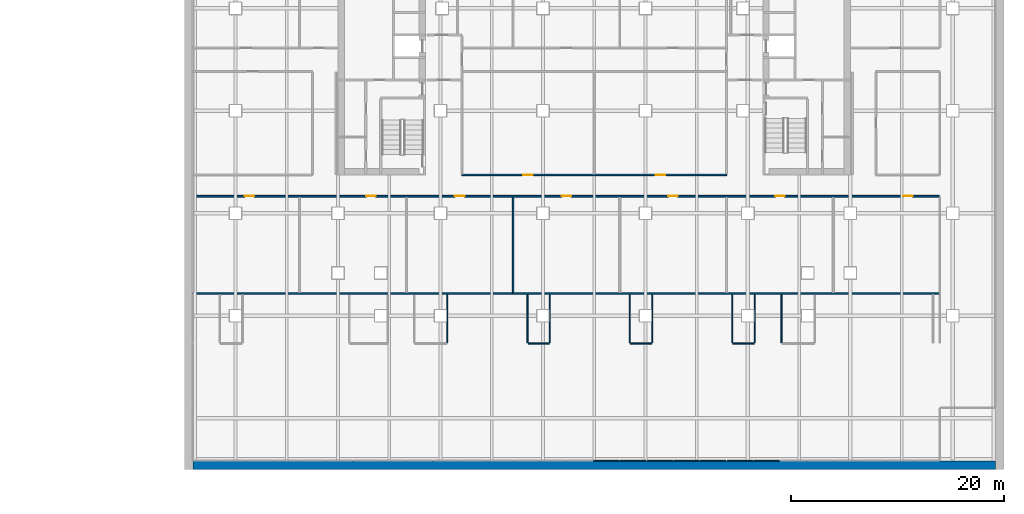
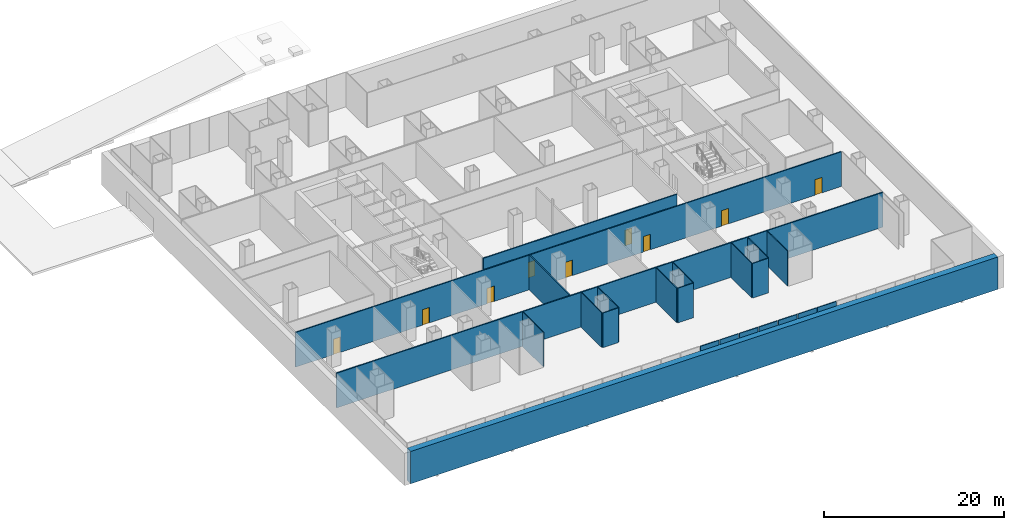
# One storey, part 6 of 11: 23 walls, 9 doors, 9 openings.
"""IFC4 building model written with IfcOpenShell, lengths in metres."""

from ifc_helpers import new_model, si_unit, direction, frame, frame_2d, origin, place, context, subcontext, project, spatial, rectangle, extrude, material, layer, layer_set, type_object, element, fill, save


model = new_model("IFC4")

# Units and contexts
model_context = context("Model", 3, precision=1e-05, world=origin(), true_north=direction((0.0, 1.0)))
body_context = subcontext(model_context, "Body", "Model", "MODEL_VIEW")
ifc_project = project(units=[si_unit("LENGTHUNIT", "METRE"), si_unit("AREAUNIT", "SQUARE_METRE"), si_unit("VOLUMEUNIT", "CUBIC_METRE"), si_unit("PLANEANGLEUNIT", "RADIAN"), si_unit("MASSUNIT", "GRAM", prefix="KILO")], contexts=[model_context])

# Site, building, storey
site_placement = place(None, origin())
site = spatial("IfcSite", under=ifc_project, at=site_placement, CompositionType="ELEMENT")
building_placement = place(site_placement, origin())
building = spatial("IfcBuilding", under=site, at=building_placement, Name="Cobrizo Arcos Hotel Tower", CompositionType="ELEMENT")
storey_placement = place(building_placement, frame((0.0, 0.0, -5.0)))
storey = spatial("IfcBuildingStorey", under=building, at=storey_placement, Name="B1", CompositionType="ELEMENT", Elevation=-5.0)

# Wall
ifc_material_1 = material(Name="Gypsum board partition")
ifc_layer_1 = layer(ifc_material_1, 0.14990234375)
ifc_layer_set_1 = layer_set([ifc_layer_1], Name="Corridor wall EI 60 150")
wall_type_1 = type_object("IfcWallType", Name="Corridor wall EI 60 150", PredefinedType="PARTITIONING", material=ifc_layer_set_1)
wall_1_placement = place(storey_placement, frame((-37.60009765625, -21.89990234375, 0.0), z_axis=(0.0, 0.0, 1.0), x_axis=(1.0, 0.0, 0.0)))
element("IfcWall", 1, at=wall_1_placement, inside=storey, type_object=wall_type_1, Name="Partition 058", PredefinedType="PARTITIONING", context=body_context, shape_type="SweptSolid", body=[
    extrude(rectangle(XDim=70.0, YDim=0.14990234375, at=frame_2d((35.0, 0.0))), origin(), (0.0, 0.0, 1.0), 4.699951171875),
])

# Wall, openings, doors
wall_2_placement = place(storey_placement, frame((-37.60009765625, -12.800048828125, 0.0), z_axis=(0.0, 0.0, 1.0), x_axis=(1.0, 0.0, 0.0)))
wall_2 = element("IfcWall", 2, at=wall_2_placement, inside=storey, type_object=wall_type_1, Name="Partition 059", PredefinedType="PARTITIONING", context=body_context, shape_type="SweptSolid", body=[
    extrude(rectangle(XDim=69.9501953125, YDim=0.14990234375, at=frame_2d((34.97509765625, 0.0))), origin(), (0.0, 0.0, 1.0), 4.699951171875),
])
opening_1_placement = place(wall_2_placement, frame((4.85009765625, 0.0, 0.0)))
opening_1 = element("IfcOpeningElement", 3, at=opening_1_placement, cuts=wall_2, Name="Opening RD-09", PredefinedType="OPENING", context=body_context, shape_type="SweptSolid", body=[
    extrude(rectangle(XDim=0.89990234375, YDim=2.10009765625, at=frame_2d((0.449951171875, 1.050048828125))), frame((0.0, 0.0869140625, 0.0), z_axis=(0.0, -1.0, 0.0), x_axis=(1.0, 0.0, 0.0)), (0.0, 0.0, 1.0), 0.173828125),
])
opening_2_placement = place(wall_2_placement, frame((16.25, 0.0, 0.0)))
opening_2 = element("IfcOpeningElement", 4, at=opening_2_placement, cuts=wall_2, Name="Opening RD-10", PredefinedType="OPENING", context=body_context, shape_type="SweptSolid", body=[
    extrude(rectangle(XDim=0.89990234375, YDim=2.10009765625, at=frame_2d((0.449951171875, 1.050048828125))), frame((0.0, 0.0869140625, 0.0), z_axis=(0.0, -1.0, 0.0), x_axis=(1.0, 0.0, 0.0)), (0.0, 0.0, 1.0), 0.173828125),
])
opening_3_placement = place(wall_2_placement, frame((24.550048828125, 0.0, 0.0)))
opening_3 = element("IfcOpeningElement", 5, at=opening_3_placement, cuts=wall_2, Name="Opening RD-11", PredefinedType="OPENING", context=body_context, shape_type="SweptSolid", body=[
    extrude(rectangle(XDim=0.89990234375, YDim=2.10009765625, at=frame_2d((0.449951171875, 1.050048828125))), frame((0.0, 0.0869140625, 0.0), z_axis=(0.0, -1.0, 0.0), x_axis=(1.0, 0.0, 0.0)), (0.0, 0.0, 1.0), 0.173828125),
])
opening_4_placement = place(wall_2_placement, frame((34.550048828125, 0.0, 0.0)))
opening_4 = element("IfcOpeningElement", 6, at=opening_4_placement, cuts=wall_2, Name="Opening RD-12", PredefinedType="OPENING", context=body_context, shape_type="SweptSolid", body=[
    extrude(rectangle(XDim=0.89990234375, YDim=2.10009765625, at=frame_2d((0.449951171875, 1.050048828125))), frame((0.0, 0.0869140625, 0.0), z_axis=(0.0, -1.0, 0.0), x_axis=(1.0, 0.0, 0.0)), (0.0, 0.0, 1.0), 0.173828125),
])
opening_5_placement = place(wall_2_placement, frame((44.550048828125, 0.0, 0.0)))
opening_5 = element("IfcOpeningElement", 7, at=opening_5_placement, cuts=wall_2, Name="Opening RD-13", PredefinedType="OPENING", context=body_context, shape_type="SweptSolid", body=[
    extrude(rectangle(XDim=0.89990234375, YDim=2.10009765625, at=frame_2d((0.449951171875, 1.050048828125))), frame((0.0, 0.0869140625, 0.0), z_axis=(0.0, -1.0, 0.0), x_axis=(1.0, 0.0, 0.0)), (0.0, 0.0, 1.0), 0.173828125),
])
opening_6_placement = place(wall_2_placement, frame((54.550048828125, 0.0, 0.0)))
opening_6 = element("IfcOpeningElement", 8, at=opening_6_placement, cuts=wall_2, Name="Opening RD-14", PredefinedType="OPENING", context=body_context, shape_type="SweptSolid", body=[
    extrude(rectangle(XDim=0.89990234375, YDim=2.10009765625, at=frame_2d((0.449951171875, 1.050048828125))), frame((0.0, 0.0869140625, 0.0), z_axis=(0.0, -1.0, 0.0), x_axis=(1.0, 0.0, 0.0)), (0.0, 0.0, 1.0), 0.173828125),
])
opening_7_placement = place(wall_2_placement, frame((66.550048828125, 0.0, 0.0)))
opening_7 = element("IfcOpeningElement", 9, at=opening_7_placement, cuts=wall_2, Name="Opening RD-15", PredefinedType="OPENING", context=body_context, shape_type="SweptSolid", body=[
    extrude(rectangle(XDim=0.89990234375, YDim=2.10009765625, at=frame_2d((0.449951171875, 1.050048828125))), frame((0.0, 0.0869140625, 0.0), z_axis=(0.0, -1.0, 0.0), x_axis=(1.0, 0.0, 0.0)), (0.0, 0.0, 1.0), 0.173828125),
])
ifc_material_2 = material(Name="Timber door leaf", Category="wood")
door_type = type_object("IfcDoorType", Name="Room door FD30 900x2100", OperationType="SINGLE_SWING_LEFT", PredefinedType="DOOR", material=ifc_material_2)
door_1_placement = place(opening_1_placement, origin())
door_1 = element("IfcDoor", 10, at=door_1_placement, inside=storey, type_object=door_type, Name="Door RD-09", OperationType="SINGLE_SWING_LEFT", OverallHeight=2.10009765625, OverallWidth=0.89990234375, PredefinedType="DOOR", context=body_context, shape_type="SweptSolid", body=[
    extrude(rectangle(XDim=0.89990234375, YDim=2.10009765625, at=frame_2d((0.449951171875, 1.050048828125))), frame((0.0, 0.02490234375, 0.0), z_axis=(0.0, -1.0, 0.0), x_axis=(1.0, 0.0, 0.0)), (0.0, 0.0, 1.0), 0.050048828125),
])
fill(opening_1, door_1)
door_2_placement = place(opening_2_placement, origin())
door_2 = element("IfcDoor", 11, at=door_2_placement, inside=storey, type_object=door_type, Name="Door RD-10", OperationType="SINGLE_SWING_LEFT", OverallHeight=2.10009765625, OverallWidth=0.89990234375, PredefinedType="DOOR", context=body_context, shape_type="SweptSolid", body=[
    extrude(rectangle(XDim=0.89990234375, YDim=2.10009765625, at=frame_2d((0.449951171875, 1.050048828125))), frame((0.0, 0.02490234375, 0.0), z_axis=(0.0, -1.0, 0.0), x_axis=(1.0, 0.0, 0.0)), (0.0, 0.0, 1.0), 0.050048828125),
])
fill(opening_2, door_2)
door_3_placement = place(opening_3_placement, origin())
door_3 = element("IfcDoor", 12, at=door_3_placement, inside=storey, type_object=door_type, Name="Door RD-11", OperationType="SINGLE_SWING_LEFT", OverallHeight=2.10009765625, OverallWidth=0.89990234375, PredefinedType="DOOR", context=body_context, shape_type="SweptSolid", body=[
    extrude(rectangle(XDim=0.89990234375, YDim=2.10009765625, at=frame_2d((0.449951171875, 1.050048828125))), frame((0.0, 0.02490234375, 0.0), z_axis=(0.0, -1.0, 0.0), x_axis=(1.0, 0.0, 0.0)), (0.0, 0.0, 1.0), 0.050048828125),
])
fill(opening_3, door_3)
door_4_placement = place(opening_4_placement, origin())
door_4 = element("IfcDoor", 13, at=door_4_placement, inside=storey, type_object=door_type, Name="Door RD-12", OperationType="SINGLE_SWING_LEFT", OverallHeight=2.10009765625, OverallWidth=0.89990234375, PredefinedType="DOOR", context=body_context, shape_type="SweptSolid", body=[
    extrude(rectangle(XDim=0.89990234375, YDim=2.10009765625, at=frame_2d((0.449951171875, 1.050048828125))), frame((0.0, 0.02490234375, 0.0), z_axis=(0.0, -1.0, 0.0), x_axis=(1.0, 0.0, 0.0)), (0.0, 0.0, 1.0), 0.050048828125),
])
fill(opening_4, door_4)
door_5_placement = place(opening_5_placement, origin())
door_5 = element("IfcDoor", 14, at=door_5_placement, inside=storey, type_object=door_type, Name="Door RD-13", OperationType="SINGLE_SWING_LEFT", OverallHeight=2.10009765625, OverallWidth=0.89990234375, PredefinedType="DOOR", context=body_context, shape_type="SweptSolid", body=[
    extrude(rectangle(XDim=0.89990234375, YDim=2.10009765625, at=frame_2d((0.449951171875, 1.050048828125))), frame((0.0, 0.02490234375, 0.0), z_axis=(0.0, -1.0, 0.0), x_axis=(1.0, 0.0, 0.0)), (0.0, 0.0, 1.0), 0.050048828125),
])
fill(opening_5, door_5)
door_6_placement = place(opening_6_placement, origin())
door_6 = element("IfcDoor", 15, at=door_6_placement, inside=storey, type_object=door_type, Name="Door RD-14", OperationType="SINGLE_SWING_RIGHT", OverallHeight=2.10009765625, OverallWidth=0.89990234375, PredefinedType="DOOR", context=body_context, shape_type="SweptSolid", body=[
    extrude(rectangle(XDim=0.89990234375, YDim=2.10009765625, at=frame_2d((0.449951171875, 1.050048828125))), frame((0.0, 0.02490234375, 0.0), z_axis=(0.0, -1.0, 0.0), x_axis=(1.0, 0.0, 0.0)), (0.0, 0.0, 1.0), 0.050048828125),
])
fill(opening_6, door_6)
door_7_placement = place(opening_7_placement, origin())
door_7 = element("IfcDoor", 16, at=door_7_placement, inside=storey, type_object=door_type, Name="Door RD-15", OperationType="SINGLE_SWING_LEFT", OverallHeight=2.10009765625, OverallWidth=0.89990234375, PredefinedType="DOOR", context=body_context, shape_type="SweptSolid", body=[
    extrude(rectangle(XDim=0.89990234375, YDim=2.10009765625, at=frame_2d((0.449951171875, 1.050048828125))), frame((0.0, 0.02490234375, 0.0), z_axis=(0.0, -1.0, 0.0), x_axis=(1.0, 0.0, 0.0)), (0.0, 0.0, 1.0), 0.050048828125),
])
fill(opening_7, door_7)

wall_3_placement = place(storey_placement, frame((-12.39990234375, -10.800048828125, 0.0), z_axis=(0.0, 0.0, 1.0), x_axis=(1.0, 0.0, 0.0)))
wall_3 = element("IfcWall", 17, at=wall_3_placement, inside=storey, type_object=wall_type_1, Name="Partition 061", PredefinedType="PARTITIONING", context=body_context, shape_type="SweptSolid", body=[
    extrude(rectangle(XDim=24.7998046875, YDim=0.14990234375, at=frame_2d((12.39990234375, 0.0))), origin(), (0.0, 0.0, 1.0), 4.699951171875),
])
opening_8_placement = place(wall_3_placement, frame((5.75, 0.0, 0.0)))
opening_8 = element("IfcOpeningElement", 18, at=opening_8_placement, cuts=wall_3, Name="Opening RD-17", PredefinedType="OPENING", context=body_context, shape_type="SweptSolid", body=[
    extrude(rectangle(XDim=0.89990234375, YDim=2.10009765625, at=frame_2d((0.449951171875, 1.050048828125))), frame((0.0, 0.0869140625, 0.0), z_axis=(0.0, -1.0, 0.0), x_axis=(1.0, 0.0, 0.0)), (0.0, 0.0, 1.0), 0.173828125),
])
opening_9_placement = place(wall_3_placement, frame((18.14990234375, 0.0, 0.0)))
opening_9 = element("IfcOpeningElement", 19, at=opening_9_placement, cuts=wall_3, Name="Opening RD-18", PredefinedType="OPENING", context=body_context, shape_type="SweptSolid", body=[
    extrude(rectangle(XDim=0.89990234375, YDim=2.10009765625, at=frame_2d((0.449951171875, 1.050048828125))), frame((0.0, 0.0869140625, 0.0), z_axis=(0.0, -1.0, 0.0), x_axis=(1.0, 0.0, 0.0)), (0.0, 0.0, 1.0), 0.173828125),
])
door_8_placement = place(opening_8_placement, origin())
door_8 = element("IfcDoor", 20, at=door_8_placement, inside=storey, type_object=door_type, Name="Door RD-17", OperationType="SINGLE_SWING_RIGHT", OverallHeight=2.10009765625, OverallWidth=0.89990234375, PredefinedType="DOOR", context=body_context, shape_type="SweptSolid", body=[
    extrude(rectangle(XDim=0.89990234375, YDim=2.10009765625, at=frame_2d((0.449951171875, 1.050048828125))), frame((0.0, 0.02490234375, 0.0), z_axis=(0.0, -1.0, 0.0), x_axis=(1.0, 0.0, 0.0)), (0.0, 0.0, 1.0), 0.050048828125),
])
fill(opening_8, door_8)
door_9_placement = place(opening_9_placement, origin())
door_9 = element("IfcDoor", 21, at=door_9_placement, inside=storey, type_object=door_type, Name="Door RD-18", OperationType="SINGLE_SWING_LEFT", OverallHeight=2.10009765625, OverallWidth=0.89990234375, PredefinedType="DOOR", context=body_context, shape_type="SweptSolid", body=[
    extrude(rectangle(XDim=0.89990234375, YDim=2.10009765625, at=frame_2d((0.449951171875, 1.050048828125))), frame((0.0, 0.02490234375, 0.0), z_axis=(0.0, -1.0, 0.0), x_axis=(1.0, 0.0, 0.0)), (0.0, 0.0, 1.0), 0.050048828125),
])
fill(opening_9, door_9)

# Walls
wall_4_placement = place(storey_placement, frame((-7.60009765625, -21.824951171875, 0.0), z_axis=(0.0, 0.0, 1.0), x_axis=(0.0, 1.0, 0.0)))
element("IfcWall", 22, at=wall_4_placement, inside=storey, type_object=wall_type_1, Name="Partition 172", PredefinedType="PARTITIONING", context=body_context, shape_type="SweptSolid", body=[
    extrude(rectangle(XDim=8.949951171875, YDim=0.14990234375, at=frame_2d((4.47509765625, 0.0))), origin(), (0.0, 0.0, 1.0), 4.699951171875),
])
ifc_layer_2 = layer(ifc_material_1, 0.10009765625)
ifc_layer_set_2 = layer_set([ifc_layer_2], Name="Partition EI 30 100")
wall_type_2 = type_object("IfcWallType", Name="Partition EI 30 100", PredefinedType="PARTITIONING", material=ifc_layer_set_2)
for number, where, z_axis, x_axis, name in (
    (23, (-0.050048828125, -37.60009765625, 0.0), (0.0, 0.0, 1.0), (1.0, 0.0, 0.0), "Partition 016"),
    (24, (2.449951171875, -37.60009765625, 0.0), (0.0, 0.0, 1.0), (1.0, 0.0, 0.0), "Partition 017"),
    (25, (4.949951171875, -37.60009765625, 0.0), (0.0, 0.0, 1.0), (1.0, 0.0, 0.0), "Partition 018"),
    (26, (7.449951171875, -37.60009765625, 0.0), (0.0, 0.0, 1.0), (1.0, 0.0, 0.0), "Partition 019"),
    (27, (9.949951171875, -37.60009765625, 0.0), (0.0, 0.0, 1.0), (1.0, 0.0, 0.0), "Partition 020"),
    (28, (12.449951171875, -37.60009765625, 0.0), (0.0, 0.0, 1.0), (1.0, 0.0, 0.0), "Partition 021"),
    (29, (14.949951171875, -37.60009765625, 0.0), (0.0, 0.0, 1.0), (1.0, 0.0, 0.0), "Partition 022"),
):
    element("IfcWall", number, at=place(storey_placement, frame(where, z_axis=z_axis, x_axis=x_axis)), inside=storey, type_object=wall_type_2, Name=name, PredefinedType="PARTITIONING", context=body_context, shape_type="SweptSolid", body=[
        extrude(rectangle(XDim=2.400146484375, YDim=0.10009765625, at=frame_2d((1.2001953125, 0.0))), origin(), (0.0, 0.0, 1.0), 4.699951171875),
    ])
for number, where, z_axis, x_axis, name in (
    (30, (-6.199951171875, -26.60009765625, 0.0), (0.0, 0.0, 1.0), (1.0, 0.0, 0.0), "Partition 033"),
    (31, (3.39990234375, -26.60009765625, 0.0), (0.0, 0.0, 1.0), (1.0, 0.0, 0.0), "Partition 034"),
    (32, (13.0, -26.60009765625, 0.0), (0.0, 0.0, 1.0), (1.0, 0.0, 0.0), "Partition 035"),
):
    element("IfcWall", number, at=place(storey_placement, frame(where, z_axis=z_axis, x_axis=x_axis)), inside=storey, type_object=wall_type_2, Name=name, PredefinedType="PARTITIONING", context=body_context, shape_type="SweptSolid", body=[
        extrude(rectangle(XDim=2.0, YDim=0.10009765625, at=frame_2d((1.0, 0.0))), origin(), (0.0, 0.0, 1.0), 4.699951171875),
    ])
for number, where, z_axis, x_axis, name in (
    (33, (-13.75, -26.550048828125, 0.0), (0.0, 0.0, 1.0), (0.0, 1.0, 0.0), "Partition 167"),
    (34, (-6.25, -26.550048828125, 0.0), (0.0, 0.0, 1.0), (0.0, 1.0, 0.0), "Partition 175"),
    (35, (-4.14990234375, -26.550048828125, 0.0), (0.0, 0.0, 1.0), (0.0, 1.0, 0.0), "Partition 177"),
    (36, (3.35009765625, -26.550048828125, 0.0), (0.0, 0.0, 1.0), (0.0, 1.0, 0.0), "Partition 184"),
):
    element("IfcWall", number, at=place(storey_placement, frame(where, z_axis=z_axis, x_axis=x_axis)), inside=storey, type_object=wall_type_2, Name=name, PredefinedType="PARTITIONING", context=body_context, shape_type="SweptSolid", body=[
        extrude(rectangle(XDim=4.525146484375, YDim=0.10009765625, at=frame_2d((2.2626953125, 0.0))), origin(), (0.0, 0.0, 1.0), 4.699951171875),
    ])
for number, where, z_axis, x_axis, name in (
    (37, (5.449951171875, -26.550048828125, 0.0), (0.0, 0.0, 1.0), (0.0, 1.0, 0.0), "Partition 186"),
    (38, (12.949951171875, -26.550048828125, 0.0), (0.0, 0.0, 1.0), (0.0, 1.0, 0.0), "Partition 191"),
):
    element("IfcWall", number, at=place(storey_placement, frame(where, z_axis=z_axis, x_axis=x_axis)), inside=storey, type_object=wall_type_2, Name=name, PredefinedType="PARTITIONING", context=body_context, shape_type="SweptSolid", body=[
        extrude(rectangle(XDim=4.550048828125, YDim=0.10009765625, at=frame_2d((2.27490234375, 0.0))), origin(), (0.0, 0.0, 1.0), 4.699951171875),
    ])
for number, where, z_axis, x_axis, name in (
    (39, (15.050048828125, -26.550048828125, 0.0), (0.0, 0.0, 1.0), (0.0, 1.0, 0.0), "Partition 193"),
    (40, (17.550048828125, -26.550048828125, 0.0), (0.0, 0.0, 1.0), (0.0, 1.0, 0.0), "Partition 195"),
):
    element("IfcWall", number, at=place(storey_placement, frame(where, z_axis=z_axis, x_axis=x_axis)), inside=storey, type_object=wall_type_2, Name=name, PredefinedType="PARTITIONING", context=body_context, shape_type="SweptSolid", body=[
        extrude(rectangle(XDim=4.525146484375, YDim=0.10009765625, at=frame_2d((2.2626953125, 0.0))), origin(), (0.0, 0.0, 1.0), 4.699951171875),
    ])
ifc_material_3 = material(Name="Concrete f'c 40 MPa", Category="concrete")
ifc_layer_3 = layer(ifc_material_3, 0.800048828125)
ifc_layer_set_3 = layer_set([ifc_layer_3], Name="Retaining wall 800 f'c 40")
wall_type_3 = type_object("IfcWallType", Name="Retaining wall 800 f'c 40", PredefinedType="SOLIDWALL", material=ifc_layer_set_3)
wall_5_placement = place(storey_placement, frame((-37.60009765625, -38.0, -0.300048828125), z_axis=(0.0, 0.0, 1.0), x_axis=(1.0, 0.0, 0.0)))
element("IfcWall", 41, at=wall_5_placement, inside=storey, type_object=wall_type_3, Name="Retaining wall RW-B1-S, south side, B1", PredefinedType="SOLIDWALL", context=body_context, shape_type="SweptSolid", body=[
    extrude(rectangle(XDim=75.2001953125, YDim=0.800048828125, at=frame_2d((37.60009765625, 0.0))), origin(), (0.0, 0.0, 1.0), 4.377685546875),
])

save(model, "model.ifc")
